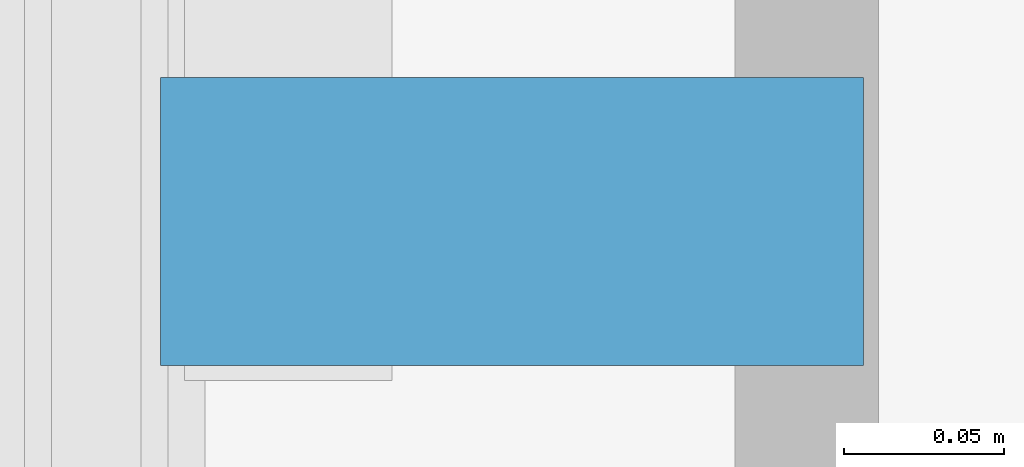
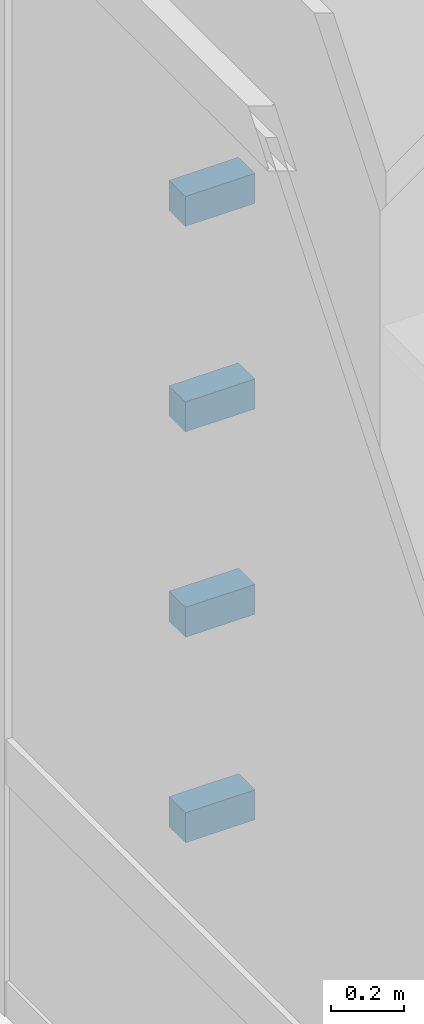
# One storey, part 30 of 35: 4 discrete accessories.
"""IFC4 building model written with IfcOpenShell, lengths in metres."""

from ifc_helpers import new_model, si_unit, direction, frame, origin, origin_2d, place, context, subcontext, project, spatial, rectangle, extrude, material, type_object, element, save


model = new_model("IFC4")

# Units and contexts
model_context = context("Model", 3, precision=1e-05, world=origin(), true_north=direction((0.0, 1.0)))
body_context = subcontext(model_context, "Body", "Model", "MODEL_VIEW")
ifc_project = project(units=[si_unit("LENGTHUNIT", "METRE"), si_unit("AREAUNIT", "SQUARE_METRE"), si_unit("VOLUMEUNIT", "CUBIC_METRE"), si_unit("PLANEANGLEUNIT", "RADIAN"), si_unit("MASSUNIT", "GRAM", prefix="KILO")], contexts=[model_context])

# Site, building, storey
site_placement = place(None, origin())
site = spatial("IfcSite", under=ifc_project, at=site_placement, CompositionType="ELEMENT")
building_placement = place(site_placement, origin())
building = spatial("IfcBuilding", under=site, at=building_placement, Name="Punatoya Terracotta Tower", CompositionType="ELEMENT")
storey_placement = place(building_placement, frame((0.0, 0.0, 72.75)))
storey = spatial("IfcBuildingStorey", under=building, at=storey_placement, Name="L16", CompositionType="ELEMENT", Elevation=72.75)

# Discrete accessories
ifc_material = material(Name="Steel S355", Category="steel")
discrete_accessory_type = type_object("IfcDiscreteAccessoryType", Name="ACC-BRK-220", PredefinedType="BRACKET", material=ifc_material)
for number, where, z_axis, x_axis, name in (
    (1, (-19.919921875, -3.35009765625, 1.099853515625), (0.0, 0.0, 1.0), (0.0, 1.0, 0.0), "L16 Baguette Louvre Column Bracket BAG-L16-W-01"),
    (2, (-19.919921875, -3.35009765625, 1.78662109375), (0.0, 0.0, 1.0), (0.0, 1.0, 0.0), "L16 Baguette Louvre Column Bracket BAG-L16-W-02"),
    (3, (-19.919921875, -3.35009765625, 2.47314453125), (0.0, 0.0, 1.0), (0.0, 1.0, 0.0), "L16 Baguette Louvre Column Bracket BAG-L16-W-03"),
    (4, (-19.919921875, -3.35009765625, 3.159912109375), (0.0, 0.0, 1.0), (0.0, 1.0, 0.0), "L16 Baguette Louvre Column Bracket BAG-L16-W-04"),
):
    element("IfcDiscreteAccessory", number, at=place(storey_placement, frame(where, z_axis=z_axis, x_axis=x_axis)), inside=storey, type_object=discrete_accessory_type, Name=name, PredefinedType="BRACKET", context=body_context, shape_type="SweptSolid", body=[
        extrude(rectangle(XDim=0.090087890625, YDim=0.219970703125, at=origin_2d()), origin(), (0.0, 0.0, 1.0), 0.10009765625),
    ])

save(model, "model.ifc")
